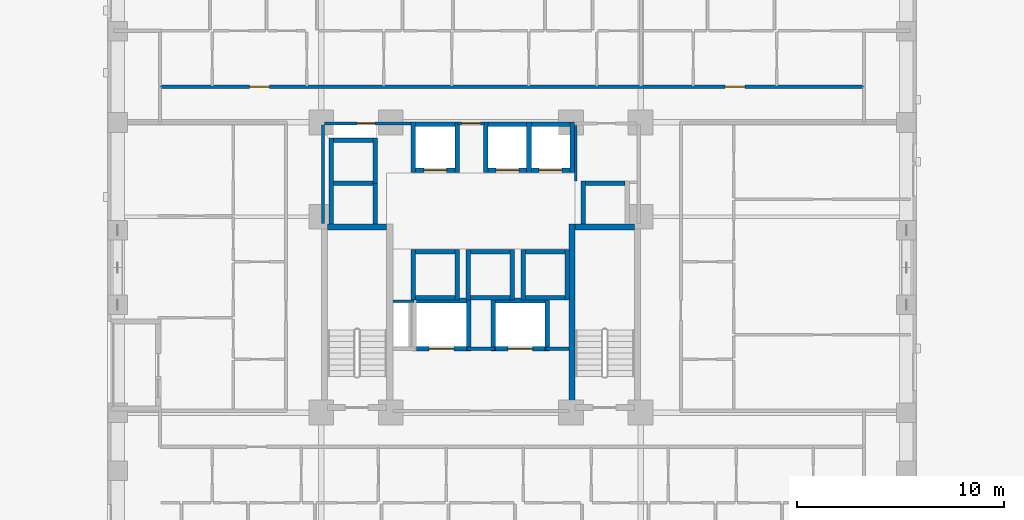
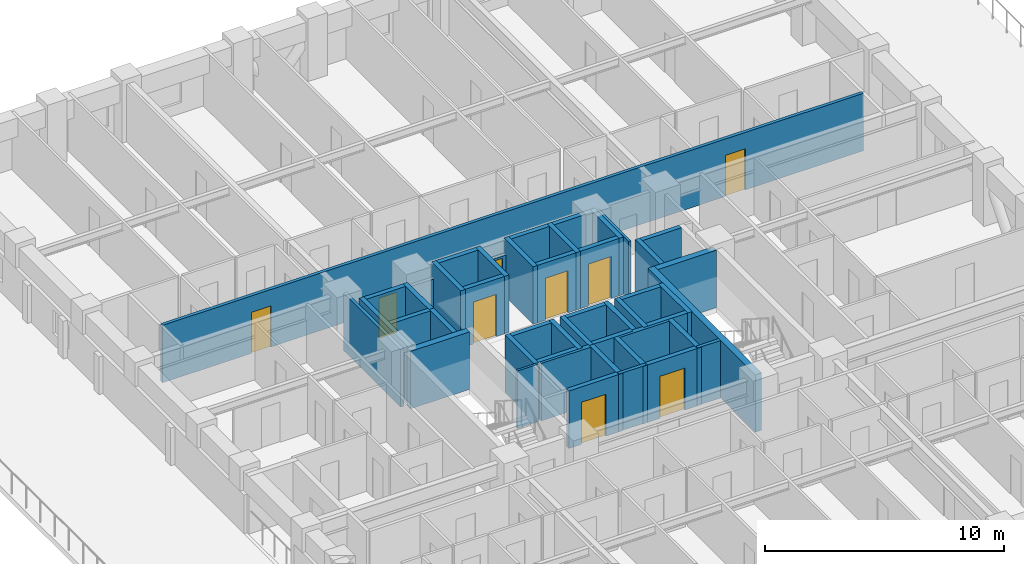
# One storey, part 5 of 14: 48 walls, 9 doors, 9 openings.
"""IFC4 building model written with IfcOpenShell, lengths in metres."""

from ifc_helpers import new_model, si_unit, derived_unit, direction, frame, frame_2d, origin, place, context, subcontext, project, spatial, rectangle, extrude, material, layer, layer_set, type_object, element, fill, save


model = new_model("IFC4")

# Units and contexts
model_context = context("Model", 3, precision=1e-05, world=origin(), true_north=direction((0.0, 1.0)))
body_context = subcontext(model_context, "Body", "Model", "MODEL_VIEW")
ifc_project = project(units=[si_unit("LENGTHUNIT", "METRE"), si_unit("AREAUNIT", "SQUARE_METRE"), si_unit("VOLUMEUNIT", "CUBIC_METRE"), si_unit("PLANEANGLEUNIT", "RADIAN"), si_unit("MASSUNIT", "GRAM", prefix="KILO"), derived_unit("THERMALTRANSMITTANCEUNIT", [(si_unit("MASSUNIT", "GRAM", prefix="KILO"), 1), (si_unit("TIMEUNIT", "SECOND"), -3), (si_unit("THERMODYNAMICTEMPERATUREUNIT", "KELVIN"), -1)])], contexts=[model_context])

# Site, building, storey
site_placement = place(None, origin())
site = spatial("IfcSite", under=ifc_project, at=site_placement, CompositionType="ELEMENT")
building_placement = place(site_placement, origin())
building = spatial("IfcBuilding", under=site, at=building_placement, Name="Korrvale Station Residences", CompositionType="ELEMENT")
storey_placement = place(building_placement, frame((0.0, 0.0, 25.800048828125)))
storey = spatial("IfcBuildingStorey", under=building, at=storey_placement, Name="L05", CompositionType="ELEMENT", Elevation=25.800048828125)

# Walls
ifc_material_1 = material(Name="Concrete C70/85", Category="concrete")
ifc_layer_1 = layer(ifc_material_1, 0.300048828125, Name="Concrete C70/85")
ifc_layer_set_1 = layer_set([ifc_layer_1], Name="Concrete C70/85")
wall_type_1 = type_object("IfcWallType", Name="WAL-CORE-300-C70", PredefinedType="SHEAR", material=ifc_layer_set_1)
wall_1_placement = place(storey_placement, frame((18.10009765625, 23.949951171875, 0.0), z_axis=(0.0, 0.0, 1.0), x_axis=(1.0, 0.0, 0.0)))
element("IfcWall", 1, at=wall_1_placement, inside=storey, type_object=wall_type_1, Name="L05 ST-1 Core Shear Wall North", PredefinedType="SHEAR", context=body_context, shape_type="SweptSolid", body=[
    extrude(rectangle(XDim=2.849853515625, YDim=0.300048828125, at=frame_2d((1.4248046875, 0.0))), origin(), (0.0, 0.0, 1.0), 2.93994140625),
])
wall_2_placement = place(storey_placement, frame((29.89990234375, 15.10009765625, 0.0), z_axis=(0.0, 0.0, 1.0), x_axis=(0.0, 1.0, 0.0)))
element("IfcWall", 2, at=wall_2_placement, inside=storey, type_object=wall_type_1, Name="L05 ST-2 Core Shear Wall West", PredefinedType="SHEAR", context=body_context, shape_type="SweptSolid", body=[
    extrude(rectangle(XDim=9.0, YDim=0.300048828125, at=frame_2d((4.5, 0.0))), origin(), (0.0, 0.0, 1.0), 2.93994140625),
])
wall_3_placement = place(storey_placement, frame((30.050048828125, 23.949951171875, 0.0), z_axis=(0.0, 0.0, 1.0), x_axis=(1.0, 0.0, 0.0)))
element("IfcWall", 3, at=wall_3_placement, inside=storey, type_object=wall_type_1, Name="L05 ST-2 Core Shear Wall North", PredefinedType="SHEAR", context=body_context, shape_type="SweptSolid", body=[
    extrude(rectangle(XDim=2.849853515625, YDim=0.300048828125, at=frame_2d((1.4248046875, 0.0))), origin(), (0.0, 0.0, 1.0), 2.93994140625),
])
ifc_material_2 = material(Name="Acoustic steel-stud gypsum board partition", Category="steel")
ifc_layer_2 = layer(ifc_material_2, 0.1201171875, Name="Acoustic steel-stud gypsum board partition")
ifc_layer_set_2 = layer_set([ifc_layer_2], Name="Acoustic steel-stud gypsum board partition")
wall_type_2 = type_object("IfcWallType", Name="WAL-PART-125", PredefinedType="PARTITIONING", material=ifc_layer_set_2)
wall_4_placement = place(storey_placement, frame((22.280029296875, 20.3798828125, 0.0), z_axis=(0.0, 0.0, 1.0), x_axis=(-1.0, 0.0, 0.0)))
element("IfcWall", 4, at=wall_4_placement, inside=storey, type_object=wall_type_2, Name="L05 Core Partition CW-RSWT-N", PredefinedType="PARTITIONING", context=body_context, shape_type="SweptSolid", body=[
    extrude(rectangle(XDim=1.02001953125, YDim=0.1201171875, at=frame_2d((0.510009765625, 0.0))), origin(), (0.0, 0.0, 1.0), 2.93994140625),
])
wall_5_placement = place(storey_placement, frame((30.080078125, 26.179931640625, 0.0), z_axis=(0.0, 0.0, 1.0), x_axis=(0.0, 1.0, 0.0)))
element("IfcWall", 5, at=wall_5_placement, inside=storey, type_object=wall_type_2, Name="L05 Core Partition CW-CS-W", PredefinedType="PARTITIONING", context=body_context, shape_type="SweptSolid", body=[
    extrude(rectangle(XDim=2.68017578125, YDim=0.1201171875, at=frame_2d((1.340087890625, 0.0))), origin(), (0.0, 0.0, 1.0), 2.93994140625),
])
ifc_material_3 = material(Name="Fire-rated twin-stud gypsum and mineral wool shaftwall assembly", Category="gypsum")
ifc_layer_3 = layer(ifc_material_3, 0.159912109375, Name="Fire-rated twin-stud gypsum and mineral wool shaftwall assembly")
ifc_layer_set_3 = layer_set([ifc_layer_3], Name="Fire-rated twin-stud gypsum and mineral wool shaftwall assembly")
wall_type_3 = type_object("IfcWallType", Name="WAL-PART-200", PredefinedType="PARTITIONING", material=ifc_layer_set_3)
wall_6_placement = place(storey_placement, frame((24.85009765625, 18.080078125, 0.0), z_axis=(0.0, 0.0, 1.0), x_axis=(1.0, 0.0, 0.0)))
element("IfcWall", 6, at=wall_6_placement, inside=storey, type_object=wall_type_3, Name="L05 Core Partition CW-FFL-N2", PredefinedType="PARTITIONING", context=body_context, shape_type="SweptSolid", body=[
    extrude(rectangle(XDim=1.2998046875, YDim=0.159912109375, at=frame_2d((0.64990234375, 0.0))), origin(), (0.0, 0.0, 1.0), 2.93994140625),
])
wall_7_placement = place(storey_placement, frame((28.64990234375, 18.080078125, 0.0), z_axis=(0.0, 0.0, 1.0), x_axis=(1.0, 0.0, 0.0)))
element("IfcWall", 7, at=wall_7_placement, inside=storey, type_object=wall_type_3, Name="L05 Core Partition CW-FFL-N3", PredefinedType="PARTITIONING", context=body_context, shape_type="SweptSolid", body=[
    extrude(rectangle(XDim=1.10009765625, YDim=0.159912109375, at=frame_2d((0.550048828125, 0.0))), origin(), (0.0, 0.0, 1.0), 2.93994140625),
])
wall_8_placement = place(storey_placement, frame((17.8798828125, 24.1201171875, 0.0), z_axis=(0.0, 0.0, 1.0), x_axis=(0.0, 1.0, 0.0)))
element("IfcWall", 8, at=wall_8_placement, inside=storey, type_object=wall_type_3, Name="L05 Core Partition CW-W-N", PredefinedType="PARTITIONING", context=body_context, shape_type="SweptSolid", body=[
    extrude(rectangle(XDim=4.759765625, YDim=0.159912109375, at=frame_2d((2.3798828125, 0.0))), origin(), (0.0, 0.0, 1.0), 2.93994140625),
])

# Wall, opening, door
wall_9_placement = place(storey_placement, frame((24.360107421875, 28.949951171875, 0.0), z_axis=(0.0, 0.0, 1.0), x_axis=(1.0, 0.0, 0.0)))
wall_9 = element("IfcWall", 9, at=wall_9_placement, inside=storey, type_object=wall_type_3, Name="L05 Core Partition CW-LLOB-N", PredefinedType="PARTITIONING", context=body_context, shape_type="SweptSolid", body=[
    extrude(rectangle(XDim=1.31982421875, YDim=0.159912109375, at=frame_2d((0.659912109375, 0.0))), origin(), (0.0, 0.0, 1.0), 2.155029296875),
])
opening_1_placement = place(wall_9_placement, frame((0.2099609375, 0.0, 0.0)))
opening_1 = element("IfcOpeningElement", 10, at=opening_1_placement, cuts=wall_9, Name="Opening DI-900", PredefinedType="OPENING", context=body_context, shape_type="SweptSolid", body=[
    extrude(rectangle(XDim=0.89990234375, YDim=2.050048828125, at=frame_2d((0.449951171875, 1.02490234375))), frame((0.0, 0.08984375, 0.0), z_axis=(0.0, -1.0, 0.0), x_axis=(1.0, 0.0, 0.0)), (0.0, 0.0, 1.0), 0.179931640625),
])
ifc_material_4 = material(Name="Painted solid-core timber interior room door", Category="wood")
door_type_1 = type_object("IfcDoorType", Name="DR-INT-900", OperationType="NOTDEFINED", PredefinedType="DOOR", material=ifc_material_4)
door_1_placement = place(opening_1_placement, origin())
door_1 = element("IfcDoor", 11, at=door_1_placement, inside=storey, type_object=door_type_1, Name="L05 Central Hallway North Passage Door", OperationType="SINGLE_SWING_RIGHT", OverallHeight=2.050048828125, OverallWidth=0.89990234375, PredefinedType="DOOR", context=body_context, shape_type="SweptSolid", body=[
    extrude(rectangle(XDim=0.89990234375, YDim=2.050048828125, at=frame_2d((0.449951171875, 1.02490234375))), frame((0.0, 0.02490234375, 0.0), z_axis=(0.0, -1.0, 0.0), x_axis=(1.0, 0.0, 0.0)), (0.0, 0.0, 1.0), 0.050048828125),
])
fill(opening_1, door_1)

wall_10_placement = place(storey_placement, frame((17.9599609375, 28.949951171875, 0.0), z_axis=(0.0, 0.0, 1.0), x_axis=(1.0, 0.0, 0.0)))
wall_10 = element("IfcWall", 12, at=wall_10_placement, inside=storey, type_object=wall_type_3, Name="L05 Core Partition CW-NW", PredefinedType="PARTITIONING", context=body_context, shape_type="SweptSolid", body=[
    extrude(rectangle(XDim=4.2900390625, YDim=0.159912109375, at=frame_2d((2.14501953125, 0.0))), origin(), (0.0, 0.0, 1.0), 2.155029296875),
])
opening_2_placement = place(wall_10_placement, frame((1.570068359375, 0.0, 0.0)))
opening_2 = element("IfcOpeningElement", 13, at=opening_2_placement, cuts=wall_10, Name="Opening DB-860", PredefinedType="OPENING", context=body_context, shape_type="SweptSolid", body=[
    extrude(rectangle(XDim=0.860107421875, YDim=2.050048828125, at=frame_2d((0.43017578125, 1.02490234375))), frame((0.0, 0.08984375, 0.0), z_axis=(0.0, -1.0, 0.0), x_axis=(1.0, 0.0, 0.0)), (0.0, 0.0, 1.0), 0.179931640625),
])
ifc_material_5 = material(Name="Moisture-resistant solid-core bathroom door", Category="timber")
door_type_2 = type_object("IfcDoorType", Name="DR-BATH-860", OperationType="NOTDEFINED", PredefinedType="DOOR", material=ifc_material_5)
door_2_placement = place(opening_2_placement, origin())
door_2 = element("IfcDoor", 14, at=door_2_placement, inside=storey, type_object=door_type_2, Name="L05 Electrical Riser Access Door", OperationType="SINGLE_SWING_LEFT", OverallHeight=2.050048828125, OverallWidth=0.860107421875, PredefinedType="DOOR", context=body_context, shape_type="SweptSolid", body=[
    extrude(rectangle(XDim=0.860107421875, YDim=2.050048828125, at=frame_2d((0.43017578125, 1.02490234375))), frame((0.0, 0.02490234375, 0.0), z_axis=(0.0, -1.0, 0.0), x_axis=(1.0, 0.0, 0.0)), (0.0, 0.0, 1.0), 0.050048828125),
])
fill(opening_2, door_2)

# Wall, openings, doors
wall_11_placement = place(storey_placement, frame((10.050048828125, 30.719970703125, 0.0), z_axis=(0.0, 0.0, 1.0), x_axis=(1.0, 0.0, 0.0)))
wall_11 = element("IfcWall", 15, at=wall_11_placement, inside=storey, type_object=wall_type_3, Name="L05 Rated Corridor Wall N", PredefinedType="PARTITIONING", context=body_context, shape_type="SweptSolid", body=[
    extrude(rectangle(XDim=33.89990234375, YDim=0.159912109375, at=frame_2d((16.949951171875, 0.0))), origin(), (0.0, 0.0, 1.0), 2.93994140625),
])
opening_3_placement = place(wall_11_placement, frame((4.294921875, 0.0, 0.0)))
opening_3 = element("IfcOpeningElement", 16, at=opening_3_placement, cuts=wall_11, Name="Opening UD-950", PredefinedType="OPENING", context=body_context, shape_type="SweptSolid", body=[
    extrude(rectangle(XDim=0.949951171875, YDim=2.10009765625, at=frame_2d((0.47509765625, 1.050048828125))), frame((0.0, 0.08984375, 0.0), z_axis=(0.0, -1.0, 0.0), x_axis=(1.0, 0.0, 0.0)), (0.0, 0.0, 1.0), 0.179931640625),
])
opening_4_placement = place(wall_11_placement, frame((27.235107421875, 0.0, 0.0)))
opening_4 = element("IfcOpeningElement", 17, at=opening_4_placement, cuts=wall_11, Name="Opening UD-950", PredefinedType="OPENING", context=body_context, shape_type="SweptSolid", body=[
    extrude(rectangle(XDim=0.949951171875, YDim=2.10009765625, at=frame_2d((0.47509765625, 1.050048828125))), frame((0.0, 0.08984375, 0.0), z_axis=(0.0, -1.0, 0.0), x_axis=(1.0, 0.0, 0.0)), (0.0, 0.0, 1.0), 0.179931640625),
])
ifc_material_6 = material(Name="Solid-core acoustic oak apartment entrance door", Category="timber")
door_type_3 = type_object("IfcDoorType", Name="DR-UNIT-950", OperationType="NOTDEFINED", PredefinedType="DOOR", material=ifc_material_6)
door_3_placement = place(opening_3_placement, origin())
door_3 = element("IfcDoor", 18, at=door_3_placement, inside=storey, type_object=door_type_3, Name="L05 Apartment L05-U02 Entrance Door", OperationType="SINGLE_SWING_LEFT", OverallHeight=2.10009765625, OverallWidth=0.949951171875, PredefinedType="DOOR", context=body_context, shape_type="SweptSolid", body=[
    extrude(rectangle(XDim=0.949951171875, YDim=2.10009765625, at=frame_2d((0.47509765625, 1.050048828125))), frame((0.0, 0.02490234375, 0.0), z_axis=(0.0, -1.0, 0.0), x_axis=(1.0, 0.0, 0.0)), (0.0, 0.0, 1.0), 0.050048828125),
])
fill(opening_3, door_3)
door_4_placement = place(opening_4_placement, origin())
door_4 = element("IfcDoor", 19, at=door_4_placement, inside=storey, type_object=door_type_3, Name="L05 Apartment L05-U03 Entrance Door", OperationType="SINGLE_SWING_RIGHT", OverallHeight=2.10009765625, OverallWidth=0.949951171875, PredefinedType="DOOR", context=body_context, shape_type="SweptSolid", body=[
    extrude(rectangle(XDim=0.949951171875, YDim=2.10009765625, at=frame_2d((0.47509765625, 1.050048828125))), frame((0.0, 0.02490234375, 0.0), z_axis=(0.0, -1.0, 0.0), x_axis=(1.0, 0.0, 0.0)), (0.0, 0.0, 1.0), 0.050048828125),
])
fill(opening_4, door_4)

# Wall, opening, door
ifc_layer_4 = layer(ifc_material_1, 0.219970703125, Name="Concrete C70/85")
ifc_layer_set_4 = layer_set([ifc_layer_4], Name="Concrete C70/85")
wall_type_4 = type_object("IfcWallType", Name="WAL-SHAFT-220-C70", PredefinedType="SHEAR", material=ifc_layer_set_4)
wall_12_placement = place(storey_placement, frame((22.35009765625, 26.68994140625, 0.0), z_axis=(0.0, 0.0, 1.0), x_axis=(1.0, 0.0, 0.0)))
wall_12 = element("IfcWall", 20, at=wall_12_placement, inside=storey, type_object=wall_type_4, Name="L05 Elevator PL-1 Hoistway Wall South", PredefinedType="SHEAR", context=body_context, shape_type="SweptSolid", body=[
    extrude(rectangle(XDim=1.89990234375, YDim=0.219970703125, at=frame_2d((0.949951171875, 0.0))), origin(), (0.0, 0.0, 1.0), 2.93994140625),
])
opening_5_placement = place(wall_12_placement, frame((0.39990234375, 0.0, 0.0)))
opening_5 = element("IfcOpeningElement", 21, at=opening_5_placement, cuts=wall_12, Name="Opening LD-1100", PredefinedType="OPENING", context=body_context, shape_type="SweptSolid", body=[
    extrude(rectangle(XDim=1.10009765625, YDim=2.14990234375, at=frame_2d((0.550048828125, 1.074951171875))), frame((0.0, 0.1201171875, 0.0), z_axis=(0.0, -1.0, 0.0), x_axis=(1.0, 0.0, 0.0)), (0.0, 0.0, 1.0), 0.239990234375),
])
ifc_material_7 = material(Name="Brushed stainless-steel elevator landing sliding door", Category="steel")
door_type_4 = type_object("IfcDoorType", Name="DR-LIFT-1100", OperationType="SLIDING_TO_LEFT", PredefinedType="DOOR", material=ifc_material_7)
door_5_placement = place(opening_5_placement, origin())
door_5 = element("IfcDoor", 22, at=door_5_placement, inside=storey, type_object=door_type_4, Name="L05 Elevator PL-1 Sliding Landing Door", OperationType="SLIDING_TO_LEFT", OverallHeight=2.14990234375, OverallWidth=1.10009765625, PredefinedType="DOOR", context=body_context, shape_type="SweptSolid", body=[
    extrude(rectangle(XDim=1.10009765625, YDim=2.14990234375, at=frame_2d((0.550048828125, 1.074951171875))), frame((0.0, 0.02490234375, 0.0), z_axis=(0.0, -1.0, 0.0), x_axis=(1.0, 0.0, 0.0)), (0.0, 0.0, 1.0), 0.050048828125),
])
fill(opening_5, door_5)

# Walls
wall_13_placement = place(storey_placement, frame((22.35009765625, 28.909912109375, 0.0), z_axis=(0.0, 0.0, 1.0), x_axis=(1.0, 0.0, 0.0)))
element("IfcWall", 23, at=wall_13_placement, inside=storey, type_object=wall_type_4, Name="L05 Elevator PL-1 Hoistway Wall North", PredefinedType="SHEAR", context=body_context, shape_type="SweptSolid", body=[
    extrude(rectangle(XDim=1.89990234375, YDim=0.219970703125, at=frame_2d((0.949951171875, 0.0))), origin(), (0.0, 0.0, 1.0), 2.93994140625),
])
for number, where, z_axis, x_axis, name in (
    (24, (22.239990234375, 26.580078125, 0.0), (0.0, 0.0, 1.0), (0.0, 1.0, 0.0), "L05 Elevator PL-1 Hoistway Wall West"),
    (25, (24.360107421875, 26.580078125, 0.0), (0.0, 0.0, 1.0), (0.0, 1.0, 0.0), "L05 Elevator PL-1 Hoistway Wall East"),
):
    element("IfcWall", number, at=place(storey_placement, frame(where, z_axis=z_axis, x_axis=x_axis)), inside=storey, type_object=wall_type_4, Name=name, PredefinedType="SHEAR", context=body_context, shape_type="SweptSolid", body=[
        extrude(rectangle(XDim=2.43994140625, YDim=0.219970703125, at=frame_2d((1.219970703125, 0.0))), origin(), (0.0, 0.0, 1.0), 2.93994140625),
    ])

# Wall, opening, door
wall_14_placement = place(storey_placement, frame((25.85009765625, 26.68994140625, 0.0), z_axis=(0.0, 0.0, 1.0), x_axis=(1.0, 0.0, 0.0)))
wall_14 = element("IfcWall", 26, at=wall_14_placement, inside=storey, type_object=wall_type_4, Name="L05 Elevator PL-2 Hoistway Wall South", PredefinedType="SHEAR", context=body_context, shape_type="SweptSolid", body=[
    extrude(rectangle(XDim=1.85986328125, YDim=0.219970703125, at=frame_2d((0.929931640625, 0.0))), origin(), (0.0, 0.0, 1.0), 2.93994140625),
])
opening_6_placement = place(wall_14_placement, frame((0.3798828125, 0.0, 0.0)))
opening_6 = element("IfcOpeningElement", 27, at=opening_6_placement, cuts=wall_14, Name="Opening LD-1100", PredefinedType="OPENING", context=body_context, shape_type="SweptSolid", body=[
    extrude(rectangle(XDim=1.10009765625, YDim=2.14990234375, at=frame_2d((0.550048828125, 1.074951171875))), frame((0.0, 0.1201171875, 0.0), z_axis=(0.0, -1.0, 0.0), x_axis=(1.0, 0.0, 0.0)), (0.0, 0.0, 1.0), 0.239990234375),
])
door_6_placement = place(opening_6_placement, origin())
door_6 = element("IfcDoor", 28, at=door_6_placement, inside=storey, type_object=door_type_4, Name="L05 Elevator PL-2 Sliding Landing Door", OperationType="SLIDING_TO_LEFT", OverallHeight=2.14990234375, OverallWidth=1.10009765625, PredefinedType="DOOR", context=body_context, shape_type="SweptSolid", body=[
    extrude(rectangle(XDim=1.10009765625, YDim=2.14990234375, at=frame_2d((0.550048828125, 1.074951171875))), frame((0.0, 0.02490234375, 0.0), z_axis=(0.0, -1.0, 0.0), x_axis=(1.0, 0.0, 0.0)), (0.0, 0.0, 1.0), 0.050048828125),
])
fill(opening_6, door_6)

# Walls
wall_15_placement = place(storey_placement, frame((25.85009765625, 28.909912109375, 0.0), z_axis=(0.0, 0.0, 1.0), x_axis=(1.0, 0.0, 0.0)))
element("IfcWall", 29, at=wall_15_placement, inside=storey, type_object=wall_type_4, Name="L05 Elevator PL-2 Hoistway Wall North", PredefinedType="SHEAR", context=body_context, shape_type="SweptSolid", body=[
    extrude(rectangle(XDim=1.85986328125, YDim=0.219970703125, at=frame_2d((0.929931640625, 0.0))), origin(), (0.0, 0.0, 1.0), 2.93994140625),
])
for number, where, z_axis, x_axis, name in (
    (30, (25.739990234375, 26.580078125, 0.0), (0.0, 0.0, 1.0), (0.0, 1.0, 0.0), "L05 Elevator PL-2 Hoistway Wall West"),
    (31, (27.820068359375, 26.580078125, 0.0), (0.0, 0.0, 1.0), (0.0, 1.0, 0.0), "L05 Elevator PL-2 Hoistway Wall East"),
):
    element("IfcWall", number, at=place(storey_placement, frame(where, z_axis=z_axis, x_axis=x_axis)), inside=storey, type_object=wall_type_4, Name=name, PredefinedType="SHEAR", context=body_context, shape_type="SweptSolid", body=[
        extrude(rectangle(XDim=2.43994140625, YDim=0.219970703125, at=frame_2d((1.219970703125, 0.0))), origin(), (0.0, 0.0, 1.0), 2.93994140625),
    ])

# Wall, opening, door
wall_16_placement = place(storey_placement, frame((27.929931640625, 26.68994140625, 0.0), z_axis=(0.0, 0.0, 1.0), x_axis=(1.0, 0.0, 0.0)))
wall_16 = element("IfcWall", 32, at=wall_16_placement, inside=storey, type_object=wall_type_4, Name="L05 Elevator PL-3 Hoistway Wall South", PredefinedType="SHEAR", context=body_context, shape_type="SweptSolid", body=[
    extrude(rectangle(XDim=1.860107421875, YDim=0.219970703125, at=frame_2d((0.93017578125, 0.0))), origin(), (0.0, 0.0, 1.0), 2.93994140625),
])
opening_7_placement = place(wall_16_placement, frame((0.3798828125, 0.0, 0.0)))
opening_7 = element("IfcOpeningElement", 33, at=opening_7_placement, cuts=wall_16, Name="Opening LD-1100", PredefinedType="OPENING", context=body_context, shape_type="SweptSolid", body=[
    extrude(rectangle(XDim=1.10009765625, YDim=2.14990234375, at=frame_2d((0.550048828125, 1.074951171875))), frame((0.0, 0.1201171875, 0.0), z_axis=(0.0, -1.0, 0.0), x_axis=(1.0, 0.0, 0.0)), (0.0, 0.0, 1.0), 0.239990234375),
])
door_7_placement = place(opening_7_placement, origin())
door_7 = element("IfcDoor", 34, at=door_7_placement, inside=storey, type_object=door_type_4, Name="L05 Elevator PL-3 Sliding Landing Door", OperationType="SLIDING_TO_LEFT", OverallHeight=2.14990234375, OverallWidth=1.10009765625, PredefinedType="DOOR", context=body_context, shape_type="SweptSolid", body=[
    extrude(rectangle(XDim=1.10009765625, YDim=2.14990234375, at=frame_2d((0.550048828125, 1.074951171875))), frame((0.0, 0.02490234375, 0.0), z_axis=(0.0, -1.0, 0.0), x_axis=(1.0, 0.0, 0.0)), (0.0, 0.0, 1.0), 0.050048828125),
])
fill(opening_7, door_7)

# Walls
wall_17_placement = place(storey_placement, frame((27.929931640625, 28.909912109375, 0.0), z_axis=(0.0, 0.0, 1.0), x_axis=(1.0, 0.0, 0.0)))
element("IfcWall", 35, at=wall_17_placement, inside=storey, type_object=wall_type_4, Name="L05 Elevator PL-3 Hoistway Wall North", PredefinedType="SHEAR", context=body_context, shape_type="SweptSolid", body=[
    extrude(rectangle(XDim=1.860107421875, YDim=0.219970703125, at=frame_2d((0.93017578125, 0.0))), origin(), (0.0, 0.0, 1.0), 2.93994140625),
])
wall_18_placement = place(storey_placement, frame((29.89990234375, 26.580078125, 0.0), z_axis=(0.0, 0.0, 1.0), x_axis=(0.0, 1.0, 0.0)))
element("IfcWall", 36, at=wall_18_placement, inside=storey, type_object=wall_type_4, Name="L05 Elevator PL-3 Hoistway Wall East", PredefinedType="SHEAR", context=body_context, shape_type="SweptSolid", body=[
    extrude(rectangle(XDim=2.43994140625, YDim=0.219970703125, at=frame_2d((1.219970703125, 0.0))), origin(), (0.0, 0.0, 1.0), 2.93994140625),
])
for number, where, z_axis, x_axis, name in (
    (37, (22.35009765625, 20.5400390625, 0.0), (0.0, 0.0, 1.0), (1.0, 0.0, 0.0), "L05 Elevator PM-1 Hoistway Wall South"),
    (38, (22.35009765625, 22.760009765625, 0.0), (0.0, 0.0, 1.0), (1.0, 0.0, 0.0), "L05 Elevator PM-1 Hoistway Wall North"),
):
    element("IfcWall", number, at=place(storey_placement, frame(where, z_axis=z_axis, x_axis=x_axis)), inside=storey, type_object=wall_type_4, Name=name, PredefinedType="SHEAR", context=body_context, shape_type="SweptSolid", body=[
        extrude(rectangle(XDim=1.89990234375, YDim=0.219970703125, at=frame_2d((0.949951171875, 0.0))), origin(), (0.0, 0.0, 1.0), 2.93994140625),
    ])
for number, where, z_axis, x_axis, name in (
    (39, (22.239990234375, 20.429931640625, 0.0), (0.0, 0.0, 1.0), (0.0, 1.0, 0.0), "L05 Elevator PM-1 Hoistway Wall West"),
    (40, (24.360107421875, 20.429931640625, 0.0), (0.0, 0.0, 1.0), (0.0, 1.0, 0.0), "L05 Elevator PM-1 Hoistway Wall East"),
):
    element("IfcWall", number, at=place(storey_placement, frame(where, z_axis=z_axis, x_axis=x_axis)), inside=storey, type_object=wall_type_4, Name=name, PredefinedType="SHEAR", context=body_context, shape_type="SweptSolid", body=[
        extrude(rectangle(XDim=2.440185546875, YDim=0.219970703125, at=frame_2d((1.22021484375, 0.0))), origin(), (0.0, 0.0, 1.0), 2.93994140625),
    ])
for number, where, z_axis, x_axis, name in (
    (41, (25.0, 20.5400390625, 0.0), (0.0, 0.0, 1.0), (1.0, 0.0, 0.0), "L05 Elevator PM-2 Hoistway Wall South"),
    (42, (25.0, 22.760009765625, 0.0), (0.0, 0.0, 1.0), (1.0, 0.0, 0.0), "L05 Elevator PM-2 Hoistway Wall North"),
):
    element("IfcWall", number, at=place(storey_placement, frame(where, z_axis=z_axis, x_axis=x_axis)), inside=storey, type_object=wall_type_4, Name=name, PredefinedType="SHEAR", context=body_context, shape_type="SweptSolid", body=[
        extrude(rectangle(XDim=1.89990234375, YDim=0.219970703125, at=frame_2d((0.949951171875, 0.0))), origin(), (0.0, 0.0, 1.0), 2.93994140625),
    ])
for number, where, z_axis, x_axis, name in (
    (43, (24.889892578125, 20.429931640625, 0.0), (0.0, 0.0, 1.0), (0.0, 1.0, 0.0), "L05 Elevator PM-2 Hoistway Wall West"),
    (44, (27.010009765625, 20.429931640625, 0.0), (0.0, 0.0, 1.0), (0.0, 1.0, 0.0), "L05 Elevator PM-2 Hoistway Wall East"),
):
    element("IfcWall", number, at=place(storey_placement, frame(where, z_axis=z_axis, x_axis=x_axis)), inside=storey, type_object=wall_type_4, Name=name, PredefinedType="SHEAR", context=body_context, shape_type="SweptSolid", body=[
        extrude(rectangle(XDim=2.440185546875, YDim=0.219970703125, at=frame_2d((1.22021484375, 0.0))), origin(), (0.0, 0.0, 1.0), 2.93994140625),
    ])
for number, where, z_axis, x_axis, name in (
    (45, (27.64990234375, 20.5400390625, 0.0), (0.0, 0.0, 1.0), (1.0, 0.0, 0.0), "L05 Elevator PM-3 Hoistway Wall South"),
    (46, (27.64990234375, 22.760009765625, 0.0), (0.0, 0.0, 1.0), (1.0, 0.0, 0.0), "L05 Elevator PM-3 Hoistway Wall North"),
):
    element("IfcWall", number, at=place(storey_placement, frame(where, z_axis=z_axis, x_axis=x_axis)), inside=storey, type_object=wall_type_4, Name=name, PredefinedType="SHEAR", context=body_context, shape_type="SweptSolid", body=[
        extrude(rectangle(XDim=1.900146484375, YDim=0.219970703125, at=frame_2d((0.9501953125, 0.0))), origin(), (0.0, 0.0, 1.0), 2.93994140625),
    ])
for number, where, z_axis, x_axis, name in (
    (47, (27.5400390625, 20.429931640625, 0.0), (0.0, 0.0, 1.0), (0.0, 1.0, 0.0), "L05 Elevator PM-3 Hoistway Wall West"),
    (48, (29.659912109375, 20.429931640625, 0.0), (0.0, 0.0, 1.0), (0.0, 1.0, 0.0), "L05 Elevator PM-3 Hoistway Wall East"),
):
    element("IfcWall", number, at=place(storey_placement, frame(where, z_axis=z_axis, x_axis=x_axis)), inside=storey, type_object=wall_type_4, Name=name, PredefinedType="SHEAR", context=body_context, shape_type="SweptSolid", body=[
        extrude(rectangle(XDim=2.440185546875, YDim=0.219970703125, at=frame_2d((1.22021484375, 0.0))), origin(), (0.0, 0.0, 1.0), 2.93994140625),
    ])
wall_19_placement = place(storey_placement, frame((18.2900390625, 24.10009765625, 0.0), z_axis=(0.0, 0.0, 1.0), x_axis=(0.0, 1.0, 0.0)))
element("IfcWall", 49, at=wall_19_placement, inside=storey, type_object=wall_type_4, Name="L05 Elevator PH-1 Hoistway Wall West", PredefinedType="SHEAR", context=body_context, shape_type="SweptSolid", body=[
    extrude(rectangle(XDim=4.139892578125, YDim=0.219970703125, at=frame_2d((2.06982421875, 0.0))), origin(), (0.0, 0.0, 1.0), 2.93994140625),
])
wall_20_placement = place(storey_placement, frame((20.409912109375, 24.10009765625, 0.0), z_axis=(0.0, 0.0, 1.0), x_axis=(0.0, 1.0, 0.0)))
element("IfcWall", 50, at=wall_20_placement, inside=storey, type_object=wall_type_4, Name="L05 Elevator PH-1 Hoistway Wall East", PredefinedType="SHEAR", context=body_context, shape_type="SweptSolid", body=[
    extrude(rectangle(XDim=1.9599609375, YDim=0.219970703125, at=frame_2d((0.97998046875, 0.0))), origin(), (0.0, 0.0, 1.0), 2.93994140625),
])
for number, where, z_axis, x_axis, name in (
    (51, (18.39990234375, 26.06005859375, 0.0), (0.0, 0.0, 1.0), (1.0, 0.0, 0.0), "L05 Elevator PH-2 Hoistway Wall South"),
    (52, (18.39990234375, 28.1298828125, 0.0), (0.0, 0.0, 1.0), (1.0, 0.0, 0.0), "L05 Elevator PH-2 Hoistway Wall North"),
):
    element("IfcWall", number, at=place(storey_placement, frame(where, z_axis=z_axis, x_axis=x_axis)), inside=storey, type_object=wall_type_4, Name=name, PredefinedType="SHEAR", context=body_context, shape_type="SweptSolid", body=[
        extrude(rectangle(XDim=1.900146484375, YDim=0.219970703125, at=frame_2d((0.9501953125, 0.0))), origin(), (0.0, 0.0, 1.0), 2.93994140625),
    ])
wall_21_placement = place(storey_placement, frame((20.409912109375, 26.06005859375, 0.0), z_axis=(0.0, 0.0, 1.0), x_axis=(0.0, 1.0, 0.0)))
element("IfcWall", 53, at=wall_21_placement, inside=storey, type_object=wall_type_4, Name="L05 Elevator PH-2 Hoistway Wall East", PredefinedType="SHEAR", context=body_context, shape_type="SweptSolid", body=[
    extrude(rectangle(XDim=2.179931640625, YDim=0.219970703125, at=frame_2d((1.08984375, 0.0))), origin(), (0.0, 0.0, 1.0), 2.93994140625),
])
wall_22_placement = place(storey_placement, frame((30.550048828125, 26.06005859375, 0.0), z_axis=(0.0, 0.0, 1.0), x_axis=(1.0, 0.0, 0.0)))
element("IfcWall", 54, at=wall_22_placement, inside=storey, type_object=wall_type_4, Name="L05 Elevator PH-3 Hoistway Wall North", PredefinedType="SHEAR", context=body_context, shape_type="SweptSolid", body=[
    extrude(rectangle(XDim=1.89990234375, YDim=0.219970703125, at=frame_2d((0.949951171875, 0.0))), origin(), (0.0, 0.0, 1.0), 2.93994140625),
])
wall_23_placement = place(storey_placement, frame((30.43994140625, 24.10009765625, 0.0), z_axis=(0.0, 0.0, 1.0), x_axis=(0.0, 1.0, 0.0)))
element("IfcWall", 55, at=wall_23_placement, inside=storey, type_object=wall_type_4, Name="L05 Elevator PH-3 Hoistway Wall West", PredefinedType="SHEAR", context=body_context, shape_type="SweptSolid", body=[
    extrude(rectangle(XDim=2.06982421875, YDim=0.219970703125, at=frame_2d((1.034912109375, 0.0))), origin(), (0.0, 0.0, 1.0), 2.93994140625),
])

# Wall, opening, door
wall_24_placement = place(storey_placement, frame((22.39990234375, 18.090087890625, 0.0), z_axis=(0.0, 0.0, 1.0), x_axis=(1.0, 0.0, 0.0)))
wall_24 = element("IfcWall", 56, at=wall_24_placement, inside=storey, type_object=wall_type_4, Name="L05 Elevator FFL-1 Hoistway Wall South", PredefinedType="SHEAR", context=body_context, shape_type="SweptSolid", body=[
    extrude(rectangle(XDim=2.400146484375, YDim=0.219970703125, at=frame_2d((1.2001953125, 0.0))), origin(), (0.0, 0.0, 1.0), 2.93994140625),
])
opening_8_placement = place(wall_24_placement, frame((0.60009765625, 0.0, 0.0)))
opening_8 = element("IfcOpeningElement", 57, at=opening_8_placement, cuts=wall_24, Name="Opening LD-FF1200", PredefinedType="OPENING", context=body_context, shape_type="SweptSolid", body=[
    extrude(rectangle(XDim=1.199951171875, YDim=2.14990234375, at=frame_2d((0.60009765625, 1.074951171875))), frame((0.0, 0.1201171875, 0.0), z_axis=(0.0, -1.0, 0.0), x_axis=(1.0, 0.0, 0.0)), (0.0, 0.0, 1.0), 0.239990234375),
])
ifc_material_8 = material(Name="Stainless-steel firefighter elevator landing sliding door", Category="steel")
door_type_5 = type_object("IfcDoorType", Name="DR-LIFT-FF1200", OperationType="SLIDING_TO_LEFT", PredefinedType="DOOR", material=ifc_material_8)
door_8_placement = place(opening_8_placement, origin())
door_8 = element("IfcDoor", 58, at=door_8_placement, inside=storey, type_object=door_type_5, Name="L05 Elevator FFL-1 Sliding Landing Door", OperationType="SLIDING_TO_LEFT", OverallHeight=2.14990234375, OverallWidth=1.199951171875, PredefinedType="DOOR", context=body_context, shape_type="SweptSolid", body=[
    extrude(rectangle(XDim=1.199951171875, YDim=2.14990234375, at=frame_2d((0.60009765625, 1.074951171875))), frame((0.0, 0.02490234375, 0.0), z_axis=(0.0, -1.0, 0.0), x_axis=(1.0, 0.0, 0.0)), (0.0, 0.0, 1.0), 0.050048828125),
])
fill(opening_8, door_8)

# Walls
wall_25_placement = place(storey_placement, frame((22.39990234375, 20.409912109375, 0.0), z_axis=(0.0, 0.0, 1.0), x_axis=(1.0, 0.0, 0.0)))
element("IfcWall", 59, at=wall_25_placement, inside=storey, type_object=wall_type_4, Name="L05 Elevator FFL-1 Hoistway Wall North", PredefinedType="SHEAR", context=body_context, shape_type="SweptSolid", body=[
    extrude(rectangle(XDim=2.400146484375, YDim=0.219970703125, at=frame_2d((1.2001953125, 0.0))), origin(), (0.0, 0.0, 1.0), 2.93994140625),
])
wall_26_placement = place(storey_placement, frame((24.909912109375, 17.97998046875, 0.0), z_axis=(0.0, 0.0, 1.0), x_axis=(0.0, 1.0, 0.0)))
element("IfcWall", 60, at=wall_26_placement, inside=storey, type_object=wall_type_4, Name="L05 Elevator FFL-1 Hoistway Wall East", PredefinedType="SHEAR", context=body_context, shape_type="SweptSolid", body=[
    extrude(rectangle(XDim=2.5400390625, YDim=0.219970703125, at=frame_2d((1.27001953125, 0.0))), origin(), (0.0, 0.0, 1.0), 2.93994140625),
])

# Wall, opening, door
wall_27_placement = place(storey_placement, frame((26.199951171875, 18.090087890625, 0.0), z_axis=(0.0, 0.0, 1.0), x_axis=(1.0, 0.0, 0.0)))
wall_27 = element("IfcWall", 61, at=wall_27_placement, inside=storey, type_object=wall_type_4, Name="L05 Elevator FFL-2 Hoistway Wall South", PredefinedType="SHEAR", context=body_context, shape_type="SweptSolid", body=[
    extrude(rectangle(XDim=2.400146484375, YDim=0.219970703125, at=frame_2d((1.2001953125, 0.0))), origin(), (0.0, 0.0, 1.0), 2.93994140625),
])
opening_9_placement = place(wall_27_placement, frame((0.60009765625, 0.0, 0.0)))
opening_9 = element("IfcOpeningElement", 62, at=opening_9_placement, cuts=wall_27, Name="Opening LD-FF1200", PredefinedType="OPENING", context=body_context, shape_type="SweptSolid", body=[
    extrude(rectangle(XDim=1.199951171875, YDim=2.14990234375, at=frame_2d((0.60009765625, 1.074951171875))), frame((0.0, 0.1201171875, 0.0), z_axis=(0.0, -1.0, 0.0), x_axis=(1.0, 0.0, 0.0)), (0.0, 0.0, 1.0), 0.239990234375),
])
door_9_placement = place(opening_9_placement, origin())
door_9 = element("IfcDoor", 63, at=door_9_placement, inside=storey, type_object=door_type_5, Name="L05 Elevator FFL-2 Sliding Landing Door", OperationType="SLIDING_TO_LEFT", OverallHeight=2.14990234375, OverallWidth=1.199951171875, PredefinedType="DOOR", context=body_context, shape_type="SweptSolid", body=[
    extrude(rectangle(XDim=1.199951171875, YDim=2.14990234375, at=frame_2d((0.60009765625, 1.074951171875))), frame((0.0, 0.02490234375, 0.0), z_axis=(0.0, -1.0, 0.0), x_axis=(1.0, 0.0, 0.0)), (0.0, 0.0, 1.0), 0.050048828125),
])
fill(opening_9, door_9)

# Walls
wall_28_placement = place(storey_placement, frame((26.199951171875, 20.409912109375, 0.0), z_axis=(0.0, 0.0, 1.0), x_axis=(1.0, 0.0, 0.0)))
element("IfcWall", 64, at=wall_28_placement, inside=storey, type_object=wall_type_4, Name="L05 Elevator FFL-2 Hoistway Wall North", PredefinedType="SHEAR", context=body_context, shape_type="SweptSolid", body=[
    extrude(rectangle(XDim=2.400146484375, YDim=0.219970703125, at=frame_2d((1.2001953125, 0.0))), origin(), (0.0, 0.0, 1.0), 2.93994140625),
])
for number, where, z_axis, x_axis, name in (
    (65, (26.090087890625, 17.97998046875, 0.0), (0.0, 0.0, 1.0), (0.0, 1.0, 0.0), "L05 Elevator FFL-2 Hoistway Wall West"),
    (66, (28.7099609375, 17.97998046875, 0.0), (0.0, 0.0, 1.0), (0.0, 1.0, 0.0), "L05 Elevator FFL-2 Hoistway Wall East"),
):
    element("IfcWall", number, at=place(storey_placement, frame(where, z_axis=z_axis, x_axis=x_axis)), inside=storey, type_object=wall_type_4, Name=name, PredefinedType="SHEAR", context=body_context, shape_type="SweptSolid", body=[
        extrude(rectangle(XDim=2.5400390625, YDim=0.219970703125, at=frame_2d((1.27001953125, 0.0))), origin(), (0.0, 0.0, 1.0), 2.93994140625),
    ])

save(model, "model.ifc")
